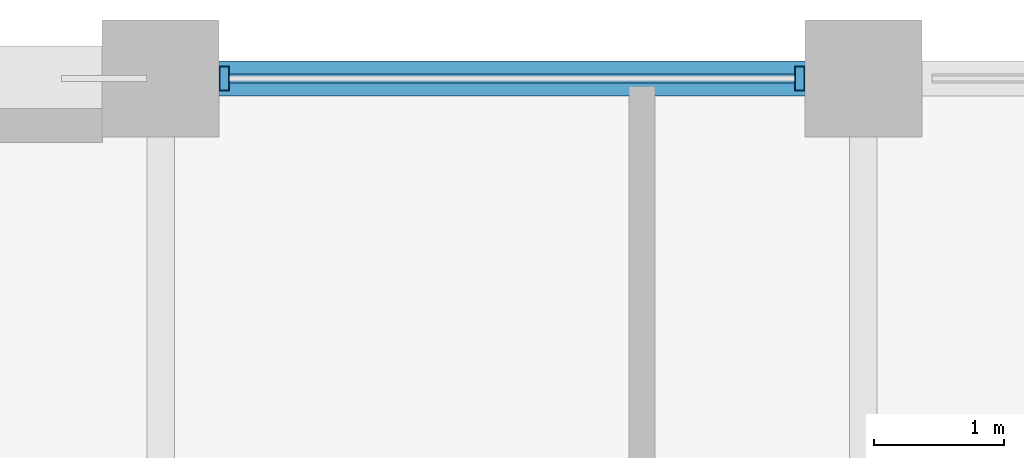
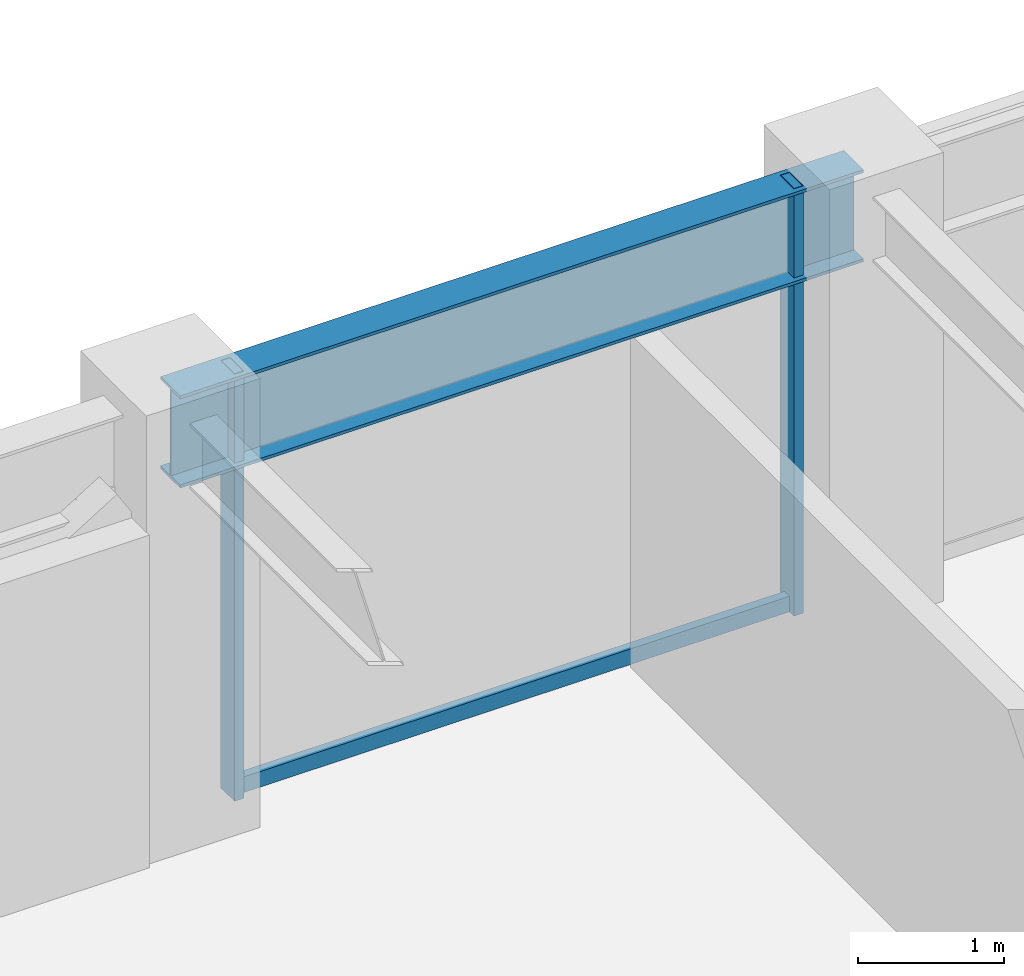
# One storey, part 23 of 32: 3 members, 1 beam, 1 element without a shape of its own.
"""IFC4 building model written with IfcOpenShell, lengths in metres."""

from ifc_helpers import new_model, si_unit, direction, frame, origin, origin_2d, place, context, subcontext, project, spatial, hollow_rectangle, i_section, extrude, material, layer, layer_set, material_profile, profile_set, type_object, element, aggregate, save


model = new_model("IFC4")

# Units and contexts
model_context = context("Model", 3, precision=1e-05, world=origin(), true_north=direction((0.0, 1.0)))
body_context = subcontext(model_context, "Body", "Model", "MODEL_VIEW")
ifc_project = project(units=[si_unit("LENGTHUNIT", "METRE"), si_unit("AREAUNIT", "SQUARE_METRE"), si_unit("VOLUMEUNIT", "CUBIC_METRE"), si_unit("PLANEANGLEUNIT", "RADIAN"), si_unit("MASSUNIT", "GRAM", prefix="KILO")], contexts=[model_context])

# Site, building, storey
site_placement = place(None, origin())
site = spatial("IfcSite", under=ifc_project, at=site_placement, CompositionType="ELEMENT")
building_placement = place(site_placement, origin())
building = spatial("IfcBuilding", under=site, at=building_placement, Name="Surkhivell Harbour Commons", CompositionType="ELEMENT")
storey_placement = place(building_placement, frame((0.0, 0.0, 208.5)))
storey = spatial("IfcBuildingStorey", under=building, at=storey_placement, Name="L54", CompositionType="ELEMENT", Elevation=208.5)

# Beam
ifc_material_1 = material(Name="Steel S355", Category="steel")
ifc_material_profile_1 = material_profile(ifc_material_1, i_section(OverallWidth=0.26806640625, OverallDepth=0.77001953125, WebThickness=0.015625, FlangeThickness=0.025390625, at=origin_2d()), Name="UB762x267x197")
ifc_profile_set_1 = profile_set([ifc_material_profile_1], Name="Steel S355")
beam_type = type_object("IfcBeamType", Name="BM-SPN-762", PredefinedType="SPANDREL", material=ifc_profile_set_1)
beam_placement = place(storey_placement, frame((5.39990234375, 25.89990234375, 3.18505859375), z_axis=(1.0, 0.0, 0.0), x_axis=(0.0, 1.0, 0.0)))
element("IfcBeam", 1, at=beam_placement, inside=storey, type_object=beam_type, Name="L54 Tube Spandrel (5.4,25.9)", PredefinedType="SPANDREL", context=body_context, shape_type="SweptSolid", body=[
    extrude(i_section(OverallWidth=0.26806640625, OverallDepth=0.77001953125, WebThickness=0.015625, FlangeThickness=0.025390625, at=origin_2d()), origin(), (0.0, 0.0, 1.0), 5.400146484375),
])

# Curtain wall, members
ifc_material_2 = material(Name="Anodised pale-metal aluminium and insulated glazing", Category="aluminium")
ifc_layer = layer(ifc_material_2, 0.18994140625)
ifc_layer_set = layer_set([ifc_layer], Name="Anodised pale-metal aluminium and insulated glazing")
curtain_wall_type = type_object("IfcCurtainWallType", Name="CW-SYS-Z3", PredefinedType="NOTDEFINED", material=ifc_layer_set)
curtain_wall_placement = place(storey_placement, origin())
curtain_wall = element("IfcCurtainWall", 2, at=curtain_wall_placement, inside=storey, type_object=curtain_wall_type, Name="L54 Curtain Wall CW-L54-E07S1", PredefinedType="NOTDEFINED")
ifc_material_3 = material(Name="Anodised pale-metal aluminium alloy 6063-T6", Category="aluminium")
ifc_material_profile_2 = material_profile(ifc_material_3, hollow_rectangle(XDim=0.074951171875, YDim=0.18994140625, WallThickness=0.00390625, at=origin_2d()), Name="ALU-MULL-75x190")
ifc_profile_set_2 = profile_set([ifc_material_profile_2], Name="Anodised pale-metal aluminium alloy 6063-T6")
member_type_1 = type_object("IfcMemberType", Name="CWM-190", PredefinedType="MULLION", material=ifc_profile_set_2)
member_1_placement = place(storey_placement, frame((10.310546875, 25.89990234375, 0.0), z_axis=(0.0, 0.0, 1.0), x_axis=(-1.0, 0.0, 0.0)))
member_1 = element("IfcMember", 3, at=member_1_placement, type_object=member_type_1, Name="CW-Z3 mullion 2", PredefinedType="MULLION", context=body_context, shape_type="SweptSolid", body=[
    extrude(hollow_rectangle(XDim=0.074951171875, YDim=0.18994140625, WallThickness=0.00390625, at=origin_2d()), origin(), (0.0, 0.0, 1.0), 3.570068359375),
])
member_2_placement = place(storey_placement, frame((5.889404296875, 25.89990234375, 0.0), z_axis=(0.0, 0.0, 1.0), x_axis=(-1.0, 0.0, 0.0)))
member_2 = element("IfcMember", 4, at=member_2_placement, type_object=member_type_1, Name="CW-Z3 mullion 3", PredefinedType="MULLION", context=body_context, shape_type="SweptSolid", body=[
    extrude(hollow_rectangle(XDim=0.074951171875, YDim=0.18994140625, WallThickness=0.00390625, at=origin_2d()), origin(), (0.0, 0.0, 1.0), 3.570068359375),
])
ifc_material_4 = material(Name="Champagne anodised aluminium alloy 6063-T6", Category="aluminium")
ifc_material_profile_3 = material_profile(ifc_material_4, hollow_rectangle(XDim=0.070068359375, YDim=0.1298828125, WallThickness=0.00341796875, at=origin_2d()), Name="ALU-TRAN-70x130")
ifc_profile_set_3 = profile_set([ifc_material_profile_3], Name="Champagne anodised aluminium alloy 6063-T6")
member_type_2 = type_object("IfcMemberType", Name="CWT-130", PredefinedType="USERDEFINED", material=ifc_profile_set_3)
member_3_placement = place(storey_placement, frame((10.27294921875, 25.89990234375, 0.06494140625), z_axis=(-1.0, 0.0, 0.0), x_axis=(0.0, -1.0, 0.0)))
member_3 = element("IfcMember", 5, at=member_3_placement, type_object=member_type_2, Name="CW-Z3 transom 2.1", ObjectType="TRANSOM", PredefinedType="USERDEFINED", context=body_context, shape_type="SweptSolid", body=[
    extrude(hollow_rectangle(XDim=0.070068359375, YDim=0.1298828125, WallThickness=0.00341796875, at=origin_2d()), origin(), (0.0, 0.0, 1.0), 4.345947265625),
])
aggregate(curtain_wall, [member_1, member_2, member_3])

save(model, "model.ifc")
